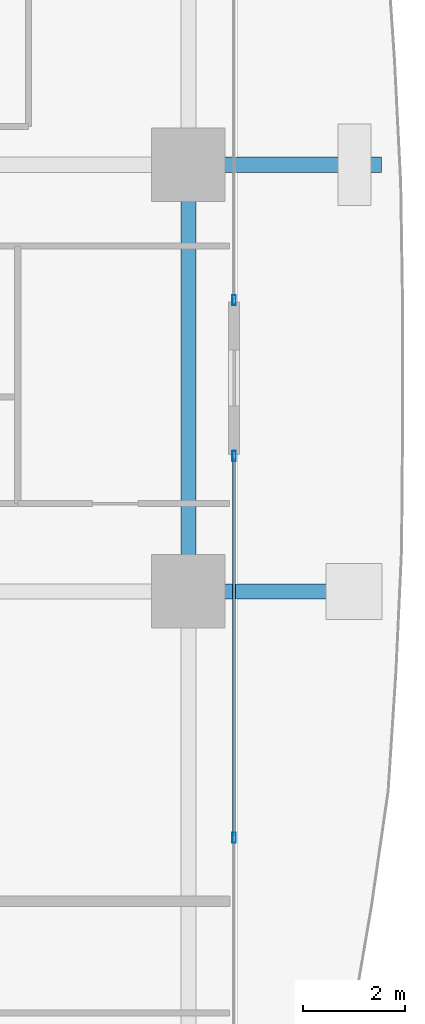
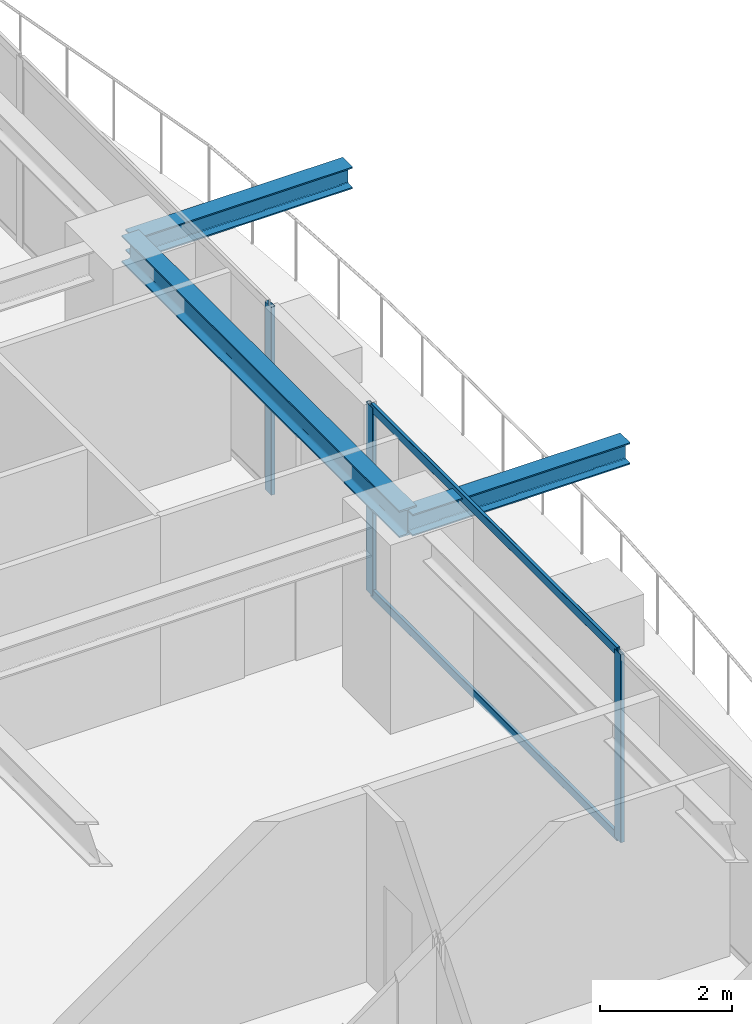
# One storey, part 14 of 37: 5 members, 3 beams, 2 elements without a shape of their own.
"""IFC4 building model written with IfcOpenShell, lengths in metres."""

from ifc_helpers import new_model, si_unit, direction, frame, origin, origin_2d, place, context, subcontext, project, spatial, hollow_rectangle, i_section, extrude, source, transform, mapped, material, layer, layer_set, material_profile, profile_set, type_object, element, aggregate, save


model = new_model("IFC4")

# Units and contexts
model_context = context("Model", 3, precision=1e-05, world=origin(), true_north=direction((0.0, 1.0)))
body_context = subcontext(model_context, "Body", "Model", "MODEL_VIEW")
ifc_project = project(units=[si_unit("LENGTHUNIT", "METRE"), si_unit("AREAUNIT", "SQUARE_METRE"), si_unit("VOLUMEUNIT", "CUBIC_METRE"), si_unit("PLANEANGLEUNIT", "RADIAN"), si_unit("MASSUNIT", "GRAM", prefix="KILO")], contexts=[model_context])

# Site, building, storey
site_placement = place(None, origin())
site = spatial("IfcSite", under=ifc_project, at=site_placement, CompositionType="ELEMENT")
building_placement = place(site_placement, origin())
building = spatial("IfcBuilding", under=site, at=building_placement, Name="Serunith Strait Residences", CompositionType="ELEMENT")
storey_placement = place(building_placement, frame((0.0, 0.0, 34.199951171875)))
storey = spatial("IfcBuildingStorey", under=building, at=storey_placement, Name="L07", CompositionType="ELEMENT", Elevation=34.199951171875)

# Beams
ifc_material_1 = material(Name="Steel S355J2", Category="steel")
ifc_material_profile_1 = material_profile(ifc_material_1, i_section(OverallWidth=0.300048828125, OverallDepth=0.5, WebThickness=0.014404296875, FlangeThickness=0.028076171875, FilletRadius=0.027099609375, at=origin_2d()), Name="HEB 500")
ifc_profile_set_1 = profile_set([ifc_material_profile_1], Name="Steel S355J2")
beam_type_1 = type_object("IfcBeamType", Name="BM-HEB500", PredefinedType="BEAM", material=ifc_profile_set_1)
shared_shape_1 = source(origin(), body_context, "Body", "SweptSolid", [
    extrude(i_section(OverallWidth=0.300048828125, OverallDepth=0.5, WebThickness=0.014404296875, FlangeThickness=0.028076171875, FilletRadius=0.027099609375, at=origin_2d()), origin(), (0.0, 0.0, 1.0), 8.39990234375),
])
beam_placement = place(storey_placement, frame((57.89990234375, 21.0, 3.237060546875), z_axis=(0.0, 1.0, 0.0), x_axis=(-1.0, 0.0, 0.0)))
element("IfcBeam", 1, at=beam_placement, inside=storey, type_object=beam_type_1, Name="L07 Perimeter Ring Beam 06", PredefinedType="BEAM", context=body_context, shape_type="MappedRepresentation", body=[
    mapped(shared_shape_1, transform((0.0, 0.0, 0.0), scale=1.0)),
])
ifc_material_profile_2 = material_profile(ifc_material_1, i_section(OverallWidth=0.300048828125, OverallDepth=0.39990234375, WebThickness=0.013427734375, FlangeThickness=0.02392578125, FilletRadius=0.027099609375, at=origin_2d()), Name="HEB 400")
ifc_profile_set_2 = profile_set([ifc_material_profile_2], Name="Steel S355J2")
beam_type_2 = type_object("IfcBeamType", Name="BM-HEB400", PredefinedType="BEAM", material=ifc_profile_set_2)
shared_shape_2 = source(origin(), body_context, "Body", "SweptSolid", [
    extrude(i_section(OverallWidth=0.300048828125, OverallDepth=0.39990234375, WebThickness=0.013427734375, FlangeThickness=0.02392578125, FilletRadius=0.027099609375, at=origin_2d()), origin(), (0.0, 0.0, 1.0), 3.800048828125),
])
for number, where, z_axis, x_axis, name in (
    (2, (57.89990234375, 21.0, 3.257080078125), (1.0, 0.0, 0.0), (0.0, 1.0, 0.0), "L08 Cantilevered Balcony Rib TC-E2"),
    (3, (57.89990234375, 29.39990234375, 3.257080078125), (1.0, 0.0, 0.0), (0.0, 1.0, 0.0), "L08 Cantilevered Balcony Rib TC-E3"),
):
    element("IfcBeam", number, at=place(storey_placement, frame(where, z_axis=z_axis, x_axis=x_axis)), inside=storey, type_object=beam_type_2, Name=name, PredefinedType="BEAM", context=body_context, shape_type="MappedRepresentation", body=[
        mapped(shared_shape_2, transform((0.0, 0.0, 0.0), scale=1.0)),
    ])

# Curtain wall, members
ifc_material_2 = material(Name="Pale-Champagne Anodised Aluminium", Category="aluminium")
ifc_layer = layer(ifc_material_2, 0.199951171875, Name="Pale-Champagne Anodised Aluminium")
ifc_layer_set = layer_set([ifc_layer], Name="Pale-Champagne Anodised Aluminium")
curtain_wall_type = type_object("IfcCurtainWallType", Name="CW-SYS1", PredefinedType="NOTDEFINED", material=ifc_layer_set)
curtain_wall_1_placement = place(storey_placement, origin())
curtain_wall_1 = element("IfcCurtainWall", 4, at=curtain_wall_1_placement, inside=storey, type_object=curtain_wall_type, Name="L07 E Unitised Fritted Curtain Wall", PredefinedType="NOTDEFINED")
ifc_material_profile_3 = material_profile(ifc_material_2, hollow_rectangle(XDim=0.070068359375, YDim=0.199951171875, WallThickness=0.00390625, InnerFilletRadius=0.006103515625, OuterFilletRadius=0.010009765625, at=origin_2d()), Name="ALU 200x70x4")
ifc_profile_set_3 = profile_set([ifc_material_profile_3], Name="Pale-Champagne Anodised Aluminium")
member_type_1 = type_object("IfcMemberType", Name="CW-SYS1-MULL", PredefinedType="MULLION", material=ifc_profile_set_3)
shared_shape_3 = source(origin(), body_context, "Body", "SweptSolid", [
    extrude(hollow_rectangle(XDim=0.070068359375, YDim=0.199951171875, WallThickness=0.00390625, InnerFilletRadius=0.006103515625, OuterFilletRadius=0.010009765625, at=origin_2d()), origin(), (0.0, 0.0, 1.0), 3.47509765625),
])
member_1_placement = place(storey_placement, frame((58.800048828125, 16.14990234375, 0.0), z_axis=(0.0, 0.0, 1.0), x_axis=(-1.0, 0.0, 0.0)))
member_1 = element("IfcMember", 5, at=member_1_placement, type_object=member_type_1, Name="CW-1 mullion 2", PredefinedType="MULLION", context=body_context, shape_type="MappedRepresentation", body=[
    mapped(shared_shape_3, transform((0.0, 0.0, 0.0), scale=1.0)),
])
member_2_placement = place(storey_placement, frame((58.800048828125, 23.6650390625, 0.0), z_axis=(0.0, 0.0, 1.0), x_axis=(-1.0, 0.0, 0.0)))
member_2 = element("IfcMember", 6, at=member_2_placement, type_object=member_type_1, Name="CW-1 mullion 3", PredefinedType="MULLION", context=body_context, shape_type="MappedRepresentation", body=[
    mapped(shared_shape_3, transform((0.0, 0.0, 0.0), scale=1.0)),
])

# Curtain wall, member
curtain_wall_2_placement = place(storey_placement, origin())
curtain_wall_2 = element("IfcCurtainWall", 7, at=curtain_wall_2_placement, inside=storey, type_object=curtain_wall_type, Name="L07 E Unitised Fritted Curtain Wall", PredefinedType="NOTDEFINED")
member_3_placement = place(storey_placement, frame((58.800048828125, 26.735107421875, 0.0), z_axis=(0.0, 0.0, 1.0), x_axis=(-1.0, 0.0, 0.0)))
member_3 = element("IfcMember", 8, at=member_3_placement, type_object=member_type_1, Name="CW-1 mullion 1", PredefinedType="MULLION", context=body_context, shape_type="MappedRepresentation", body=[
    mapped(shared_shape_3, transform((0.0, 0.0, 0.0), scale=1.0)),
])
aggregate(curtain_wall_2, [member_3])

# Member
ifc_material_profile_4 = material_profile(ifc_material_2, hollow_rectangle(XDim=0.06005859375, YDim=0.159912109375, WallThickness=0.00341796875, InnerFilletRadius=0.00537109375, OuterFilletRadius=0.0087890625, at=origin_2d()), Name="ALU 160x60x3.5")
ifc_profile_set_4 = profile_set([ifc_material_profile_4], Name="Pale-Champagne Anodised Aluminium")
member_type_2 = type_object("IfcMemberType", Name="CW-SYS1-TRAN", PredefinedType="USERDEFINED", material=ifc_profile_set_4)
shared_shape_4 = source(origin(), body_context, "Body", "SweptSolid", [
    extrude(hollow_rectangle(XDim=0.06005859375, YDim=0.159912109375, WallThickness=0.00341796875, InnerFilletRadius=0.00537109375, OuterFilletRadius=0.0087890625, at=origin_2d()), origin(), (0.0, 0.0, 1.0), 7.44482421875),
])
member_4_placement = place(storey_placement, frame((58.800048828125, 16.18505859375, 0.030029296875), z_axis=(0.0, 1.0, 0.0), x_axis=(-1.0, 0.0, 0.0)))
member_4 = element("IfcMember", 9, at=member_4_placement, type_object=member_type_2, Name="CW-1 transom 2.1", ObjectType="TRANSOM", PredefinedType="USERDEFINED", context=body_context, shape_type="MappedRepresentation", body=[
    mapped(shared_shape_4, transform((0.0, 0.0, 0.0), scale=1.0)),
])

member_5_placement = place(storey_placement, frame((58.800048828125, 16.18505859375, 3.445068359375), z_axis=(0.0, 1.0, 0.0), x_axis=(-1.0, 0.0, 0.0)))
member_5 = element("IfcMember", 10, at=member_5_placement, type_object=member_type_2, Name="CW-1 transom 2.2", ObjectType="TRANSOM", PredefinedType="USERDEFINED", context=body_context, shape_type="MappedRepresentation", body=[
    mapped(shared_shape_4, transform((0.0, 0.0, 0.0), scale=1.0)),
])

aggregate(curtain_wall_1, [member_1, member_2, member_4, member_5])

save(model, "model.ifc")
